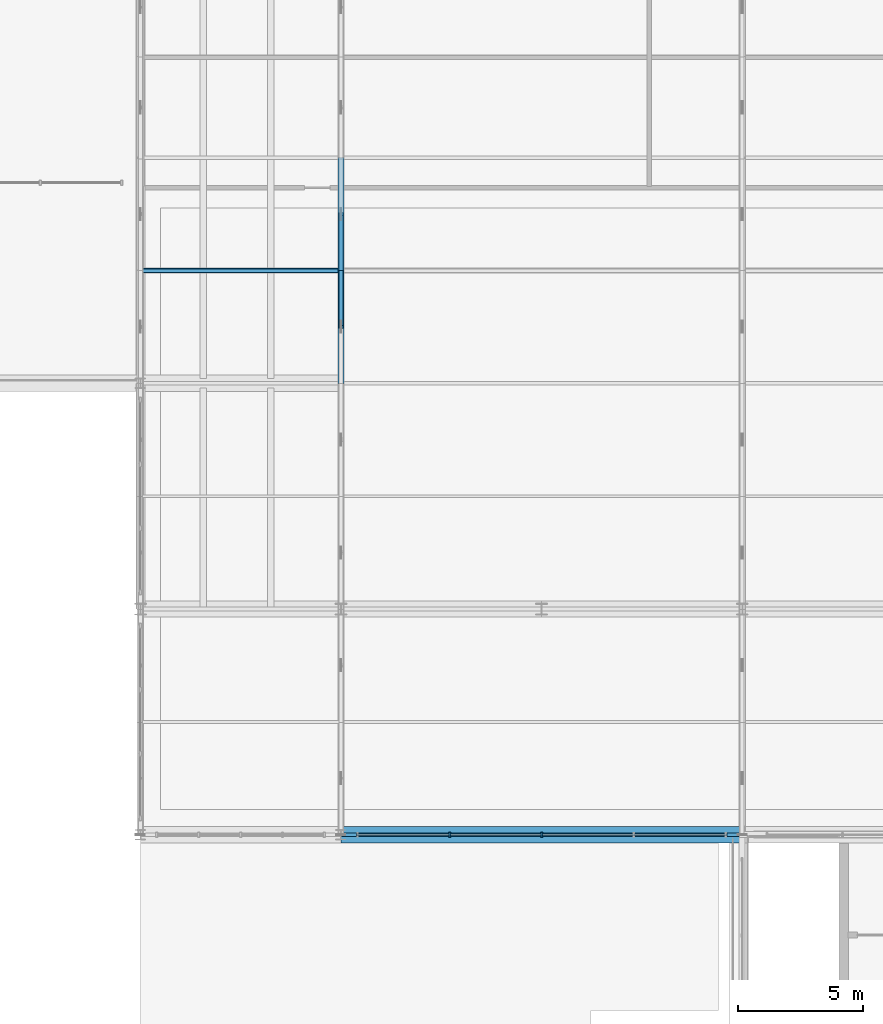
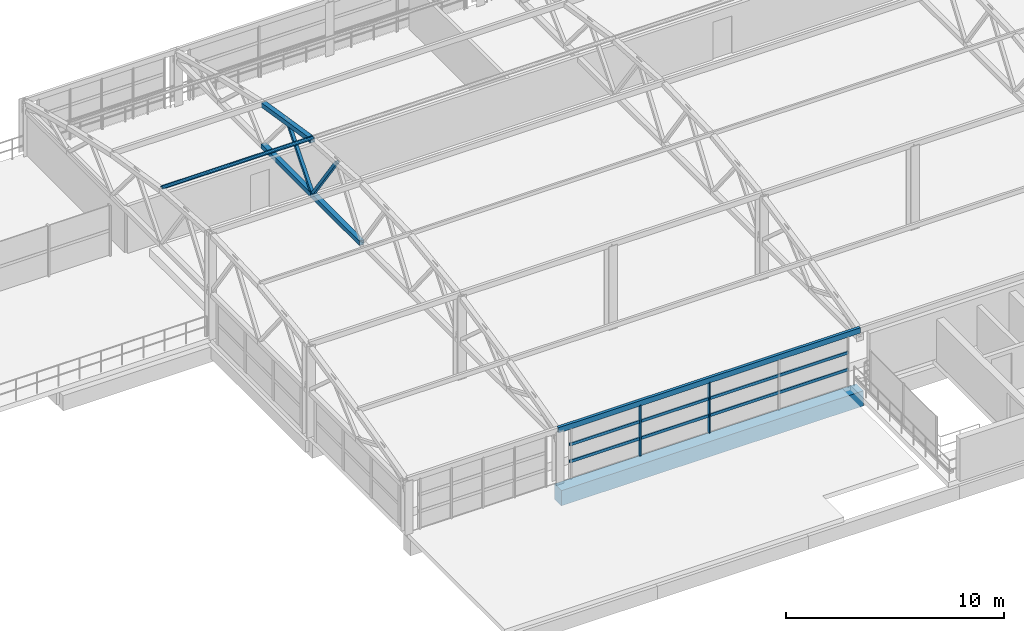
# One storey, part 14 of 50: 11 members, 1 beam, 1 element without a shape of its own.
"""IFC4 building model written with IfcOpenShell, lengths in metres."""

from ifc_helpers import new_model, si_unit, derived_unit, direction, frame, origin, origin_2d, place, context, subcontext, project, spatial, rectangle, hollow_rectangle, hollow_circle, extrude, material, layer, layer_set, material_profile, profile_set, type_object, element, aggregate, save


model = new_model("IFC4")

# Units and contexts
model_context = context("Model", 3, precision=1e-05, world=origin(), true_north=direction((0.0, 1.0)))
body_context = subcontext(model_context, "Body", "Model", "MODEL_VIEW")
ifc_project = project(units=[si_unit("LENGTHUNIT", "METRE"), si_unit("AREAUNIT", "SQUARE_METRE"), si_unit("VOLUMEUNIT", "CUBIC_METRE"), si_unit("PLANEANGLEUNIT", "RADIAN"), si_unit("MASSUNIT", "GRAM", prefix="KILO"), si_unit("THERMODYNAMICTEMPERATUREUNIT", "KELVIN"), derived_unit("THERMALTRANSMITTANCEUNIT", [(si_unit("POWERUNIT", "WATT"), 1), (si_unit("AREAUNIT", "SQUARE_METRE"), -1), (si_unit("THERMODYNAMICTEMPERATUREUNIT", "KELVIN"), -1)])], contexts=[model_context])

# Site, building, storey
site_placement = place(None, origin())
site = spatial("IfcSite", under=ifc_project, at=site_placement, CompositionType="ELEMENT")
building_placement = place(site_placement, origin())
building = spatial("IfcBuilding", under=site, at=building_placement, Name="Haiyu Intermodal Mobility Hub", CompositionType="ELEMENT")
storey_placement = place(building_placement, frame((0.0, 0.0, 25.10009765625)))
storey = spatial("IfcBuildingStorey", under=building, at=storey_placement, Name="L06", CompositionType="ELEMENT", Elevation=25.10009765625)

# Beam
ifc_material_1 = material(Name="Precast concrete C50", Category="concrete")
ifc_material_profile_1 = material_profile(ifc_material_1, rectangle(XDim=0.64990234375, YDim=0.85009765625, at=origin_2d()), Name="PC650x850")
ifc_profile_set_1 = profile_set([ifc_material_profile_1], Name="Precast concrete C50")
beam_type = type_object("IfcBeamType", Name="BM-IT03", PredefinedType="T_BEAM", material=ifc_profile_set_1)
beam_placement = place(storey_placement, frame((46.0, 113.0, -0.705078125), z_axis=(1.0, 0.0, 0.0), x_axis=(0.0, 1.0, 0.0)))
element("IfcBeam", 1, at=beam_placement, inside=storey, type_object=beam_type, Name="BM-V4G-L06-014", PredefinedType="T_BEAM", context=body_context, shape_type="SweptSolid", body=[
    extrude(rectangle(XDim=0.64990234375, YDim=0.85009765625, at=origin_2d()), origin(), (0.0, 0.0, 1.0), 16.0),
])

# Curtain wall, members
ifc_material_2 = material(Name="Low-e laminated insulating glass", Category="glass")
ifc_layer = layer(ifc_material_2, 0.22998046875)
ifc_layer_set = layer_set([ifc_layer], Name="Low-e laminated insulating glass")
curtain_wall_type = type_object("IfcCurtainWallType", Name="CW-CW05", PredefinedType="NOTDEFINED", material=ifc_layer_set)
curtain_wall_placement = place(storey_placement, origin())
curtain_wall = element("IfcCurtainWall", 2, at=curtain_wall_placement, inside=storey, type_object=curtain_wall_type, Name="Curtain Wall CW-V3S-157", PredefinedType="NOTDEFINED")
ifc_material_3 = material(Name="Anodised aluminium 6063-T6", Category="aluminium")
ifc_material_profile_2 = material_profile(ifc_material_3, rectangle(XDim=0.074951171875, YDim=0.199951171875, at=origin_2d()), Name="ALU75x200")
ifc_profile_set_2 = profile_set([ifc_material_profile_2], Name="Anodised aluminium 6063-T6")
member_type_1 = type_object("IfcMemberType", Name="CWM-ML01", PredefinedType="MULLION", material=ifc_profile_set_2)
member_1_placement = place(storey_placement, frame((50.330078125, 113.0, 0.0), z_axis=(0.0, 0.0, 1.0), x_axis=(1.0, 0.0, 0.0)))
member_1 = element("IfcMember", 3, at=member_1_placement, type_object=member_type_1, Name="CW-V3S-157-ML02", PredefinedType="MULLION", context=body_context, shape_type="SweptSolid", body=[
    extrude(rectangle(XDim=0.074951171875, YDim=0.199951171875, at=origin_2d()), origin(), (0.0, 0.0, 1.0), 2.849853515625),
])
member_2_placement = place(storey_placement, frame((54.0, 113.0, 0.0), z_axis=(0.0, 0.0, 1.0), x_axis=(1.0, 0.0, 0.0)))
member_2 = element("IfcMember", 4, at=member_2_placement, type_object=member_type_1, Name="CW-V3S-157-ML03", PredefinedType="MULLION", context=body_context, shape_type="SweptSolid", body=[
    extrude(rectangle(XDim=0.074951171875, YDim=0.199951171875, at=origin_2d()), origin(), (0.0, 0.0, 1.0), 2.849853515625),
])
ifc_material_profile_3 = material_profile(ifc_material_3, rectangle(XDim=0.074951171875, YDim=0.159912109375, at=origin_2d()), Name="ALU75x160")
ifc_profile_set_3 = profile_set([ifc_material_profile_3], Name="Anodised aluminium 6063-T6")
member_type_2 = type_object("IfcMemberType", Name="CWM-TR01", PredefinedType="USERDEFINED", material=ifc_profile_set_3)
member_3_placement = place(storey_placement, frame((46.6201171875, 113.0, 0.949951171875), z_axis=(1.0, 0.0, 0.0), x_axis=(0.0, 1.0, 0.0)))
member_3 = element("IfcMember", 5, at=member_3_placement, type_object=member_type_2, Name="CW-V3S-157-TR01", ObjectType="TRANSOM", PredefinedType="USERDEFINED", context=body_context, shape_type="SweptSolid", body=[
    extrude(rectangle(XDim=0.074951171875, YDim=0.159912109375, at=origin_2d()), origin(), (0.0, 0.0, 1.0), 14.759765625),
])
member_4_placement = place(storey_placement, frame((46.6201171875, 113.0, 1.89990234375), z_axis=(1.0, 0.0, 0.0), x_axis=(0.0, 1.0, 0.0)))
member_4 = element("IfcMember", 6, at=member_4_placement, type_object=member_type_2, Name="CW-V3S-157-TR02", ObjectType="TRANSOM", PredefinedType="USERDEFINED", context=body_context, shape_type="SweptSolid", body=[
    extrude(rectangle(XDim=0.074951171875, YDim=0.159912109375, at=origin_2d()), origin(), (0.0, 0.0, 1.0), 14.759765625),
])
aggregate(curtain_wall, [member_1, member_2, member_3, member_4])

# Members
ifc_material_4 = material(Name="Steel Q355C", Category="steel")
ifc_material_profile_4 = material_profile(ifc_material_4, hollow_rectangle(XDim=0.25, YDim=0.25, WallThickness=0.010009765625, at=origin_2d()), Name="SHS250x250x10")
ifc_profile_set_4 = profile_set([ifc_material_profile_4], Name="Steel Q355C")
member_type_3 = type_object("IfcMemberType", Name="MEM-CH01", PredefinedType="CHORD", material=ifc_profile_set_4)
member_5_placement = place(storey_placement, frame((46.0, 131.0, 2.5), z_axis=(0.0, 1.0, 0.0), x_axis=(-1.0, 0.0, 0.0)))
element("IfcMember", 7, at=member_5_placement, inside=storey, type_object=member_type_3, Name="MEM-PAV-BC-013", PredefinedType="CHORD", context=body_context, shape_type="SweptSolid", body=[
    extrude(hollow_rectangle(XDim=0.25, YDim=0.25, WallThickness=0.010009765625, at=origin_2d()), origin(), (0.0, 0.0, 1.0), 4.5),
])
member_6_placement = place(storey_placement, frame((46.0, 135.5, 5.517822265625), z_axis=(0.0, 0.987541733158, -0.157357317181), x_axis=(-1.0, 0.0, 0.0)))
element("IfcMember", 8, at=member_6_placement, inside=storey, type_object=member_type_3, Name="MEM-PAV-TC-014", PredefinedType="CHORD", context=body_context, shape_type="SweptSolid", body=[
    extrude(hollow_rectangle(XDim=0.25, YDim=0.25, WallThickness=0.010009765625, at=origin_2d()), origin(), (0.0, 0.0, 1.0), 4.556884765625),
])
member_7_placement = place(storey_placement, frame((46.0, 135.5, 2.5), z_axis=(0.0, 1.0, 0.0), x_axis=(-1.0, 0.0, 0.0)))
element("IfcMember", 9, at=member_7_placement, inside=storey, type_object=member_type_3, Name="MEM-PAV-BC-014", PredefinedType="CHORD", context=body_context, shape_type="SweptSolid", body=[
    extrude(hollow_rectangle(XDim=0.25, YDim=0.25, WallThickness=0.010009765625, at=origin_2d()), origin(), (0.0, 0.0, 1.0), 4.5),
])
ifc_material_profile_5 = material_profile(ifc_material_4, hollow_rectangle(XDim=0.159912109375, YDim=0.159912109375, WallThickness=0.006103515625, at=origin_2d()), Name="SHS160x160x6")
ifc_profile_set_5 = profile_set([ifc_material_profile_5], Name="Steel Q355C")
member_type_4 = type_object("IfcMemberType", Name="MEM-CH03", PredefinedType="CHORD", material=ifc_profile_set_5)
member_8_placement = place(storey_placement, frame((46.0, 133.25, 5.661865234375), z_axis=(0.0, 0.579791164583, -0.814765122886), x_axis=(-1.0, 0.0, 0.0)))
element("IfcMember", 10, at=member_8_placement, inside=storey, type_object=member_type_4, Name="MEM-PAV-D2-013", PredefinedType="CHORD", context=body_context, shape_type="SweptSolid", body=[
    extrude(hollow_rectangle(XDim=0.159912109375, YDim=0.159912109375, WallThickness=0.006103515625, at=origin_2d()), origin(), (0.0, 0.0, 1.0), 3.880615234375),
])
member_9_placement = place(storey_placement, frame((46.0, 135.5, 2.5), z_axis=(0.0, 0.64582600347, 0.763484625413), x_axis=(-1.0, 0.0, 0.0)))
element("IfcMember", 11, at=member_9_placement, inside=storey, type_object=member_type_4, Name="MEM-PAV-D1-014", PredefinedType="CHORD", context=body_context, shape_type="SweptSolid", body=[
    extrude(hollow_rectangle(XDim=0.159912109375, YDim=0.159912109375, WallThickness=0.006103515625, at=origin_2d()), origin(), (0.0, 0.0, 1.0), 3.48388671875),
])
ifc_material_profile_6 = material_profile(ifc_material_4, hollow_rectangle(XDim=0.14990234375, YDim=0.300048828125, WallThickness=0.010009765625, at=origin_2d()), Name="RHS300x150x10")
ifc_profile_set_6 = profile_set([ifc_material_profile_6], Name="Steel Q355C")
member_type_5 = type_object("IfcMemberType", Name="MEM-PR01", PredefinedType="PURLIN", material=ifc_profile_set_6)
member_10_placement = place(storey_placement, frame((46.0, 113.0, 2.947998046875), z_axis=(1.0, 0.0, 0.0), x_axis=(0.0, 1.0, 0.0)))
element("IfcMember", 12, at=member_10_placement, inside=storey, type_object=member_type_5, Name="MEM-PAV-PR-002", PredefinedType="PURLIN", context=body_context, shape_type="SweptSolid", body=[
    extrude(hollow_rectangle(XDim=0.14990234375, YDim=0.300048828125, WallThickness=0.010009765625, at=origin_2d()), origin(), (0.0, 0.0, 1.0), 16.0),
])
ifc_material_profile_7 = material_profile(ifc_material_4, hollow_circle(Radius=0.096923828125, WallThickness=0.006103515625, at=origin_2d()), Name="CHS194x6")
ifc_profile_set_7 = profile_set([ifc_material_profile_7], Name="Steel Q355C")
member_type_6 = type_object("IfcMemberType", Name="MEM-PR04-INT", PredefinedType="PURLIN", material=ifc_profile_set_7)
member_11_placement = place(storey_placement, frame((38.0, 135.5, 5.656982421875), z_axis=(1.0, 0.0, 0.0), x_axis=(0.0, 1.0, 0.0)))
element("IfcMember", 13, at=member_11_placement, inside=storey, type_object=member_type_6, Name="MEM-PAV-SPR-011", PredefinedType="PURLIN", context=body_context, shape_type="SweptSolid", body=[
    extrude(hollow_circle(Radius=0.096923828125, WallThickness=0.006103515625, at=origin_2d()), origin(), (0.0, 0.0, 1.0), 8.0),
])

save(model, "model.ifc")
